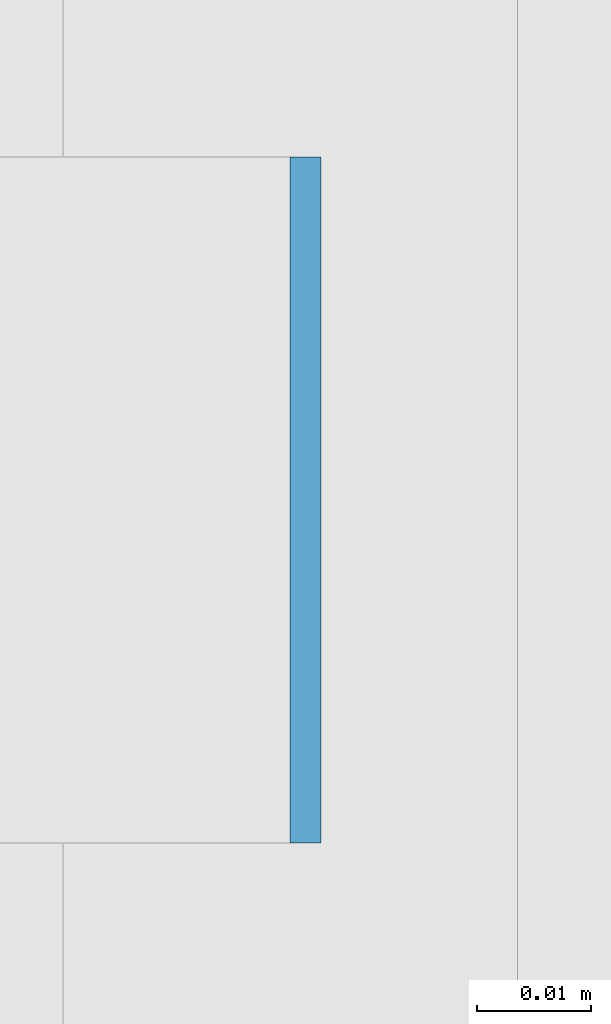
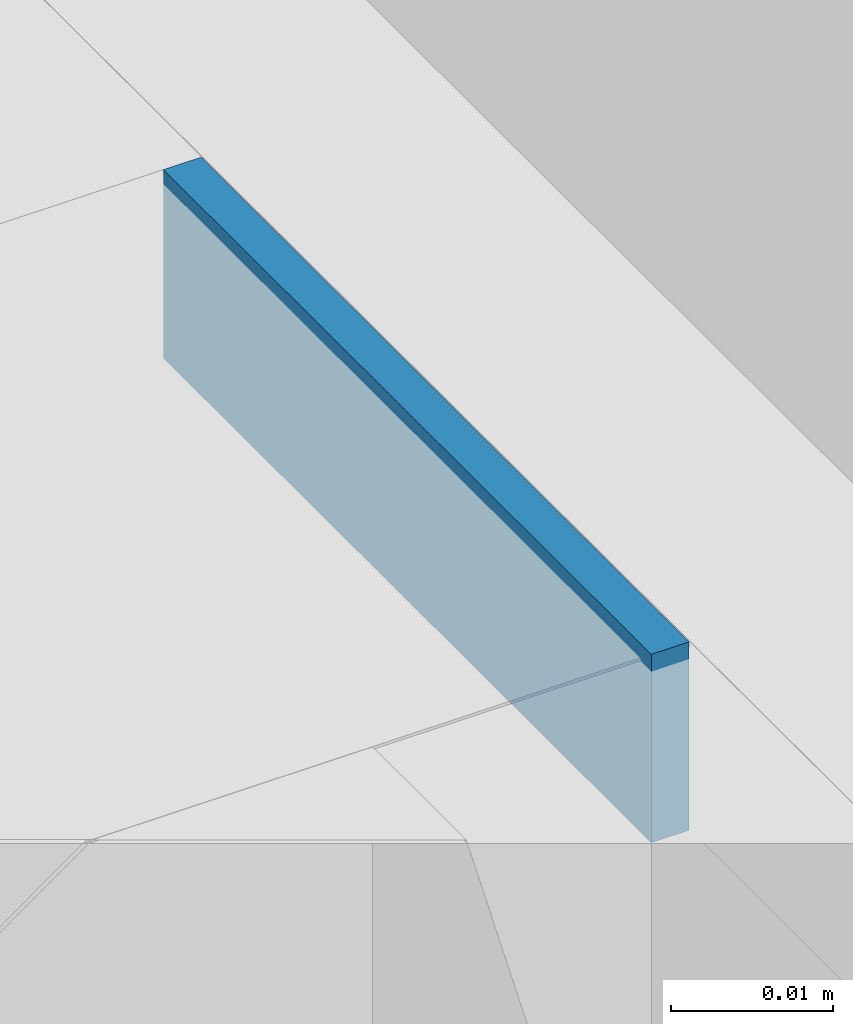
# One storey, part 377 of 646: 1 discrete accessory.
"""IFC4 building model written with IfcOpenShell, lengths in metres."""

from ifc_helpers import new_model, si_unit, direction, frame, origin, origin_2d, place, context, subcontext, project, spatial, rectangle, extrude, material, type_object, element, save


model = new_model("IFC4")

# Units and contexts
model_context = context("Model", 3, precision=1e-05, world=origin(), true_north=direction((0.0, 1.0)))
body_context = subcontext(model_context, "Body", "Model", "MODEL_VIEW")
ifc_project = project(units=[si_unit("LENGTHUNIT", "METRE"), si_unit("AREAUNIT", "SQUARE_METRE"), si_unit("VOLUMEUNIT", "CUBIC_METRE"), si_unit("PLANEANGLEUNIT", "RADIAN"), si_unit("MASSUNIT", "GRAM", prefix="KILO")], contexts=[model_context])

# Site, building, storey
site_placement = place(None, origin())
site = spatial("IfcSite", under=ifc_project, at=site_placement, CompositionType="ELEMENT")
building_placement = place(site_placement, origin())
building = spatial("IfcBuilding", under=site, at=building_placement, Name="Silverbay Arena", CompositionType="ELEMENT")
storey_placement = place(building_placement, frame((0.0, 0.0, 33.5)))
storey = spatial("IfcBuildingStorey", under=building, at=storey_placement, Name="L05", CompositionType="ELEMENT", Elevation=33.5)

# Discrete accessory
ifc_material = material(Name="Steel S355", Category="steel")
discrete_accessory_type = type_object("IfcDiscreteAccessoryType", Name="Steel bracket plate", PredefinedType="BRACKET", material=ifc_material)
discrete_accessory_placement = place(storey_placement, frame((53.871337890625, 106.71435546875, 12.98583984375), z_axis=(0.0, 0.0, 1.0), x_axis=(1.0, 0.0, 0.0)))
element("IfcDiscreteAccessory", 1, at=discrete_accessory_placement, inside=storey, type_object=discrete_accessory_type, Name="Curtain wall packing plate", PredefinedType="BRACKET", context=body_context, shape_type="SweptSolid", body=[
    extrude(rectangle(XDim=0.002685546875, YDim=0.06005859375, at=origin_2d()), origin(), (0.0, 0.0, 1.0), 0.01416015625),
])

save(model, "model.ifc")
